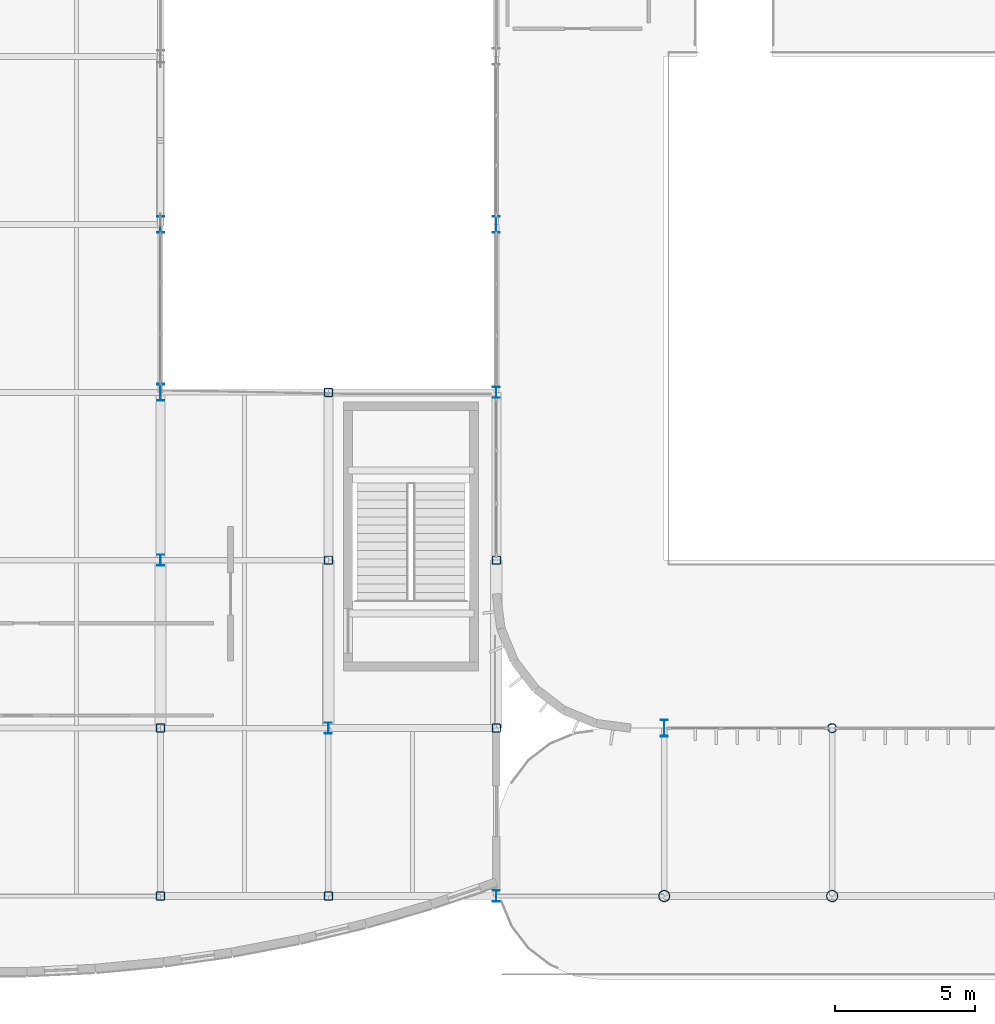
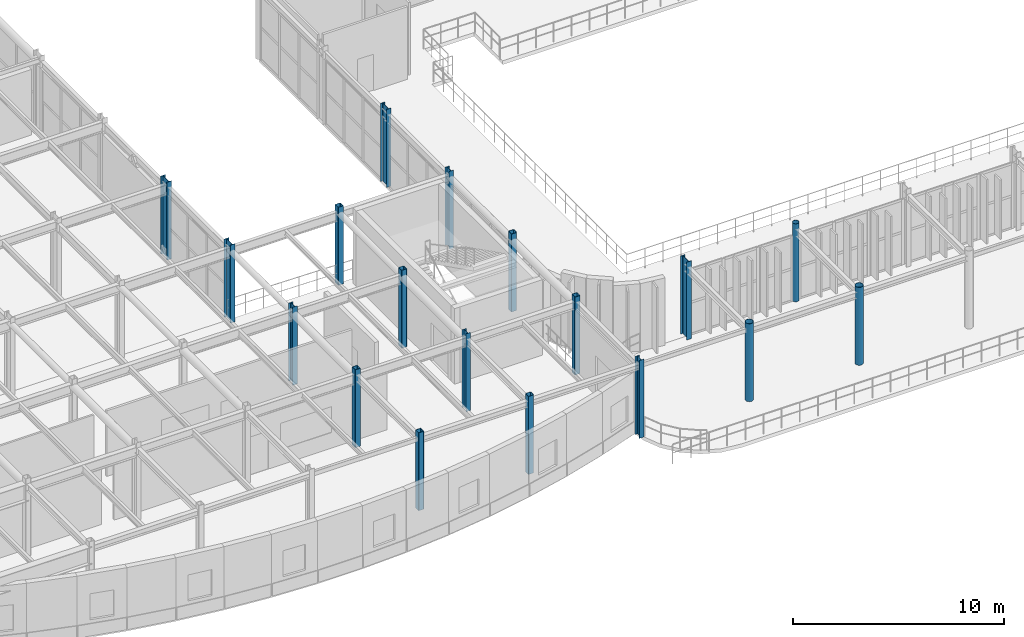
# One storey, part 3 of 96: 18 columns.
"""IFC4 building model written with IfcOpenShell, lengths in metres."""

from ifc_helpers import new_model, si_unit, direction, frame, origin, origin_2d, place, context, subcontext, project, spatial, hollow_rectangle, hollow_circle, i_section, extrude, material, material_profile, profile_set, type_object, element, save


model = new_model("IFC4")

# Units and contexts
model_context = context("Model", 3, precision=1e-05, world=origin(), true_north=direction((0.0, 1.0)))
body_context = subcontext(model_context, "Body", "Model", "MODEL_VIEW")
ifc_project = project(units=[si_unit("LENGTHUNIT", "METRE"), si_unit("AREAUNIT", "SQUARE_METRE"), si_unit("VOLUMEUNIT", "CUBIC_METRE"), si_unit("PLANEANGLEUNIT", "RADIAN"), si_unit("MASSUNIT", "GRAM", prefix="KILO")], contexts=[model_context])

# Site, building, storey
site_placement = place(None, origin())
site = spatial("IfcSite", under=ifc_project, at=site_placement, CompositionType="ELEMENT")
building_placement = place(site_placement, origin())
building = spatial("IfcBuilding", under=site, at=building_placement, Name="Varnakota Square Police Headquarters", CompositionType="ELEMENT")
storey_placement = place(building_placement, frame((0.0, 0.0, 4.800048828125)))
storey = spatial("IfcBuildingStorey", under=building, at=storey_placement, Name="L01", CompositionType="ELEMENT", Elevation=4.800048828125)

# Columns
ifc_material = material(Name="Steel IS 2062 Grade 350", Category="steel")
ifc_material_profile_1 = material_profile(ifc_material, hollow_circle(Radius=0.161865234375, WallThickness=0.0126953125, at=origin_2d()), Name="CHS 323.9x12.7")
ifc_profile_set_1 = profile_set([ifc_material_profile_1], Name="Steel IS 2062 Grade 350")
column_type_1 = type_object("IfcColumnType", Name="COL-CHS324", PredefinedType="COLUMN", material=ifc_profile_set_1)
column_placement = place(storey_placement, frame((66.0, 9.0, 0.0), z_axis=(0.0, 0.0, 1.0), x_axis=(1.0, 0.0, 0.0)))
element("IfcColumn", 1, at=column_placement, inside=storey, type_object=column_type_1, Name="Column X0660-Y0090 L01", PredefinedType="COLUMN", context=body_context, shape_type="SweptSolid", body=[
    extrude(hollow_circle(Radius=0.161865234375, WallThickness=0.0126953125, at=origin_2d()), origin(), (0.0, 0.0, 1.0), 4.5),
])
ifc_material_profile_2 = material_profile(ifc_material, hollow_circle(Radius=0.203125, WallThickness=0.01611328125, at=origin_2d()), Name="CHS 406.4x16.0")
ifc_profile_set_2 = profile_set([ifc_material_profile_2], Name="Steel IS 2062 Grade 350")
column_type_2 = type_object("IfcColumnType", Name="COL-CHS406", PredefinedType="COLUMN", material=ifc_profile_set_2)
for number, where, z_axis, x_axis, name in (
    (2, (60.0, 3.0, 0.0), (0.0, 0.0, 1.0), (1.0, 0.0, 0.0), "Column X0600-Y0030 L01"),
    (3, (66.0, 3.0, 0.0), (0.0, 0.0, 1.0), (1.0, 0.0, 0.0), "Column X0660-Y0030 L01"),
):
    element("IfcColumn", number, at=place(storey_placement, frame(where, z_axis=z_axis, x_axis=x_axis)), inside=storey, type_object=column_type_2, Name=name, PredefinedType="COLUMN", context=body_context, shape_type="SweptSolid", body=[
        extrude(hollow_circle(Radius=0.203125, WallThickness=0.01611328125, at=origin_2d()), origin(), (0.0, 0.0, 1.0), 4.5),
    ])
ifc_material_profile_3 = material_profile(ifc_material, i_section(OverallWidth=0.25, OverallDepth=0.39990234375, WebThickness=0.010498046875, FlangeThickness=0.0126953125, FilletRadius=0.013916015625, at=origin_2d()), Name="ISHB 400")
ifc_profile_set_3 = profile_set([ifc_material_profile_3], Name="Steel IS 2062 Grade 350")
column_type_3 = type_object("IfcColumnType", Name="COL-ISHB400", PredefinedType="COLUMN", material=ifc_profile_set_3)
for number, where, z_axis, x_axis, name in (
    (4, (42.0, 15.0, 0.0), (0.0, 0.0, 1.0), (1.0, 0.0, 0.0), "Column X0420-Y0150 L01"),
    (5, (48.0, 9.0, 0.0), (0.0, 0.0, 1.0), (1.0, 0.0, 0.0), "Column X0480-Y0090 L01"),
    (6, (54.0, 3.0, 0.0), (0.0, 0.0, 1.0), (1.0, 0.0, 0.0), "Column X0540-Y0030 L01"),
    (7, (54.0, 21.0, 0.0), (0.0, 0.0, 1.0), (1.0, 0.0, 0.0), "Column X0540-Y0210 L01"),
):
    element("IfcColumn", number, at=place(storey_placement, frame(where, z_axis=z_axis, x_axis=x_axis)), inside=storey, type_object=column_type_3, Name=name, PredefinedType="COLUMN", context=body_context, shape_type="SweptSolid", body=[
        extrude(i_section(OverallWidth=0.25, OverallDepth=0.39990234375, WebThickness=0.010498046875, FlangeThickness=0.0126953125, FilletRadius=0.013916015625, at=origin_2d()), origin(), (0.0, 0.0, 1.0), 4.5),
    ])
ifc_material_profile_4 = material_profile(ifc_material, i_section(OverallWidth=0.25, OverallDepth=0.60009765625, WebThickness=0.01171875, FlangeThickness=0.023681640625, FilletRadius=0.01708984375, at=origin_2d()), Name="ISWB 600")
ifc_profile_set_4 = profile_set([ifc_material_profile_4], Name="Steel IS 2062 Grade 350")
column_type_4 = type_object("IfcColumnType", Name="COL-ISWB600", PredefinedType="COLUMN", material=ifc_profile_set_4)
for number, where, z_axis, x_axis, name in (
    (8, (42.0, 21.0, 0.0), (0.0, 0.0, 1.0), (1.0, 0.0, 0.0), "Column X0420-Y0210 L01"),
    (9, (42.0, 27.0, 0.0), (0.0, 0.0, 1.0), (1.0, 0.0, 0.0), "Column X0420-Y0270 L01"),
    (10, (54.0, 27.0, 0.0), (0.0, 0.0, 1.0), (1.0, 0.0, 0.0), "Column X0540-Y0270 L01"),
    (11, (60.0, 9.0, 0.0), (0.0, 0.0, 1.0), (1.0, 0.0, 0.0), "Column X0600-Y0090 L01"),
):
    element("IfcColumn", number, at=place(storey_placement, frame(where, z_axis=z_axis, x_axis=x_axis)), inside=storey, type_object=column_type_4, Name=name, PredefinedType="COLUMN", context=body_context, shape_type="SweptSolid", body=[
        extrude(i_section(OverallWidth=0.25, OverallDepth=0.60009765625, WebThickness=0.01171875, FlangeThickness=0.023681640625, FilletRadius=0.01708984375, at=origin_2d()), origin(), (0.0, 0.0, 1.0), 4.5),
    ])
ifc_material_profile_5 = material_profile(ifc_material, hollow_rectangle(XDim=0.300048828125, YDim=0.300048828125, WallThickness=0.01611328125, InnerFilletRadius=0.01611328125, OuterFilletRadius=0.031982421875, at=origin_2d()), Name="SHS 300x300x16")
ifc_profile_set_5 = profile_set([ifc_material_profile_5], Name="Steel IS 2062 Grade 350")
column_type_5 = type_object("IfcColumnType", Name="COL-SHS300", PredefinedType="COLUMN", material=ifc_profile_set_5)
for number, where, z_axis, x_axis, name in (
    (12, (42.0, 3.0, 0.0), (0.0, 0.0, 1.0), (1.0, 0.0, 0.0), "Column X0420-Y0030 L01"),
    (13, (42.0, 9.0, 0.0), (0.0, 0.0, 1.0), (1.0, 0.0, 0.0), "Column X0420-Y0090 L01"),
    (14, (48.0, 3.0, 0.0), (0.0, 0.0, 1.0), (1.0, 0.0, 0.0), "Column X0480-Y0030 L01"),
    (15, (48.0, 15.0, 0.0), (0.0, 0.0, 1.0), (1.0, 0.0, 0.0), "Column X0480-Y0150 L01"),
    (16, (48.0, 21.0, 0.0), (0.0, 0.0, 1.0), (1.0, 0.0, 0.0), "Column X0480-Y0210 L01"),
    (17, (54.0, 9.0, 0.0), (0.0, 0.0, 1.0), (1.0, 0.0, 0.0), "Column X0540-Y0090 L01"),
    (18, (54.0, 15.0, 0.0), (0.0, 0.0, 1.0), (1.0, 0.0, 0.0), "Column X0540-Y0150 L01"),
):
    element("IfcColumn", number, at=place(storey_placement, frame(where, z_axis=z_axis, x_axis=x_axis)), inside=storey, type_object=column_type_5, Name=name, PredefinedType="COLUMN", context=body_context, shape_type="SweptSolid", body=[
        extrude(hollow_rectangle(XDim=0.300048828125, YDim=0.300048828125, WallThickness=0.01611328125, InnerFilletRadius=0.01611328125, OuterFilletRadius=0.031982421875, at=origin_2d()), origin(), (0.0, 0.0, 1.0), 4.5),
    ])

save(model, "model.ifc")
